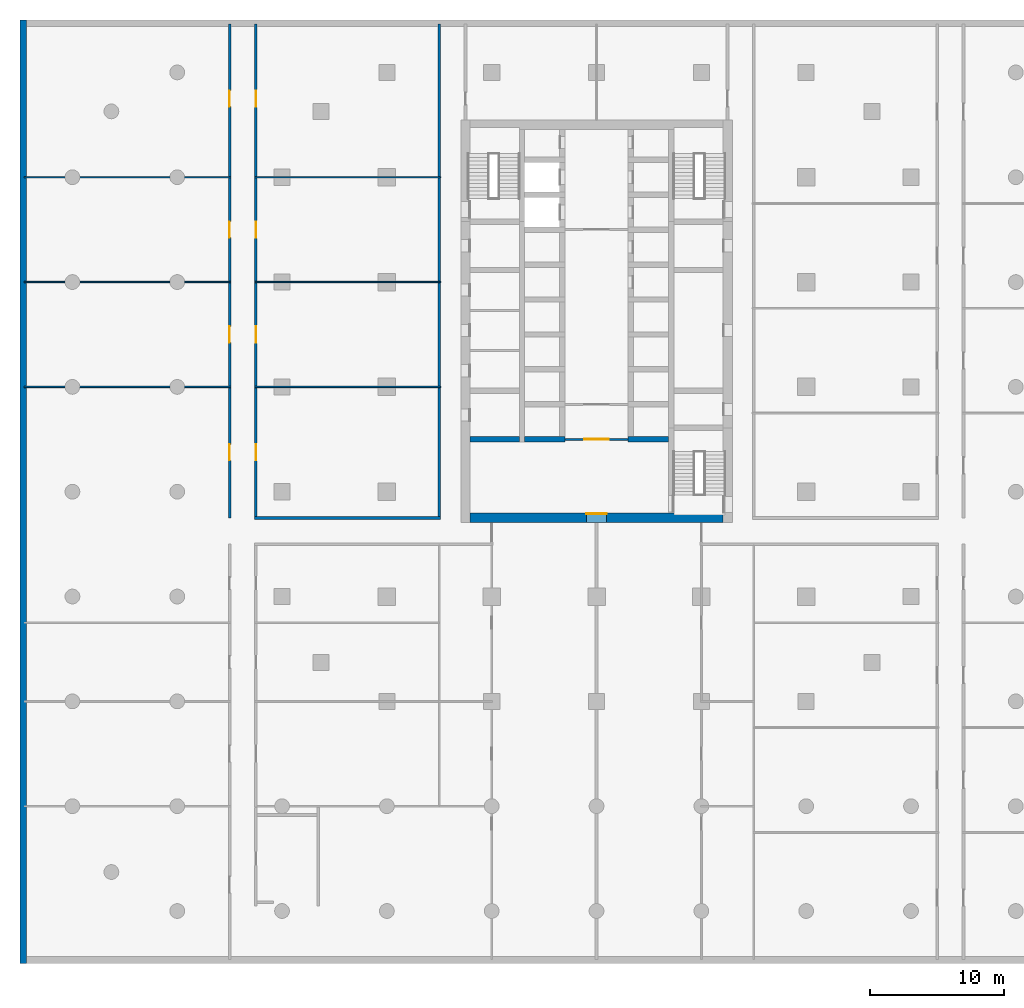
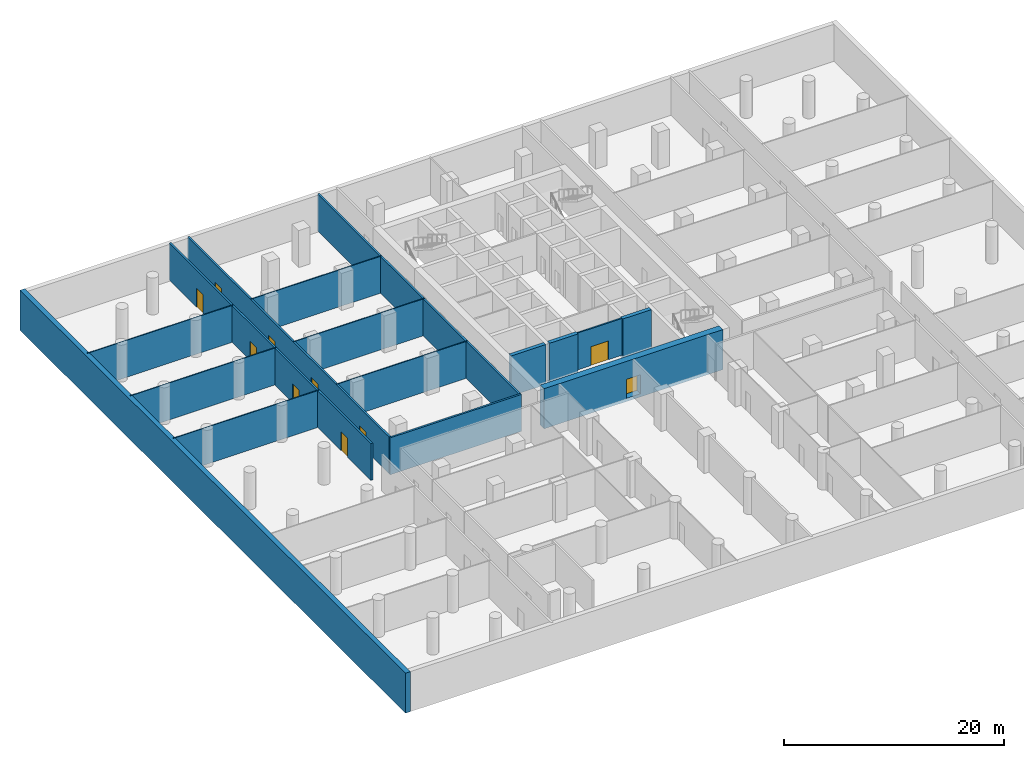
# One storey, part 5 of 14: 16 walls, 10 doors, 10 openings.
"""IFC4 building model written with IfcOpenShell, lengths in metres."""

from ifc_helpers import new_model, si_unit, direction, frame, frame_2d, origin, place, context, subcontext, project, spatial, rectangle, extrude, material, layer, layer_set, type_object, element, fill, save


model = new_model("IFC4")

# Units and contexts
model_context = context("Model", 3, precision=1e-05, world=origin(), true_north=direction((0.0, 1.0)))
body_context = subcontext(model_context, "Body", "Model", "MODEL_VIEW")
ifc_project = project(units=[si_unit("LENGTHUNIT", "METRE"), si_unit("AREAUNIT", "SQUARE_METRE"), si_unit("VOLUMEUNIT", "CUBIC_METRE"), si_unit("PLANEANGLEUNIT", "RADIAN"), si_unit("MASSUNIT", "GRAM", prefix="KILO")], contexts=[model_context])

# Site, building, storey
site_placement = place(None, origin())
site = spatial("IfcSite", under=ifc_project, at=site_placement, CompositionType="ELEMENT")
building_placement = place(site_placement, origin())
building = spatial("IfcBuilding", under=site, at=building_placement, Name="Ludao Terraces", CompositionType="ELEMENT")
storey_placement = place(building_placement, frame((0.0, 0.0, -4.5)))
storey = spatial("IfcBuildingStorey", under=building, at=storey_placement, Name="B1", CompositionType="ELEMENT", Elevation=-4.5)

# Wall
ifc_material_1 = material(Name="Concrete C40", Category="concrete")
ifc_layer_1 = layer(ifc_material_1, 0.5)
ifc_layer_set_1 = layer_set([ifc_layer_1], Name="Basement wall 500 C40")
wall_type_1 = type_object("IfcWallType", Name="Basement wall 500 C40", PredefinedType="SOLIDWALL", material=ifc_layer_set_1)
wall_1_placement = place(storey_placement, frame((42.35009765625, 22.10009765625, -0.35009765625), z_axis=(0.0, 0.0, 1.0), x_axis=(0.0, 1.0, 0.0)))
element("IfcWall", 1, at=wall_1_placement, inside=storey, type_object=wall_type_1, Name="Basement wall W B1", PredefinedType="SOLIDWALL", context=body_context, shape_type="SweptSolid", body=[
    extrude(rectangle(XDim=70.199951171875, YDim=0.5, at=frame_2d((35.10009765625, 0.0))), origin(), (0.0, 0.0, 1.0), 4.4501953125),
])

# Wall, opening, door
ifc_material_2 = material(Name="Concrete C70", Category="concrete")
ifc_layer_2 = layer(ifc_material_2, 0.699951171875)
ifc_layer_set_2 = layer_set([ifc_layer_2], Name="Core wall 700 C70")
wall_type_2 = type_object("IfcWallType", Name="Core wall 700 C70", PredefinedType="SOLIDWALL", material=ifc_layer_set_2)
wall_2_placement = place(storey_placement, frame((75.60009765625, 55.25, -0.35009765625), z_axis=(0.0, 0.0, 1.0), x_axis=(1.0, 0.0, 0.0)))
wall_2 = element("IfcWall", 2, at=wall_2_placement, inside=storey, type_object=wall_type_2, Name="Core wall B1 outer-S", PredefinedType="SOLIDWALL", context=body_context, shape_type="SweptSolid", body=[
    extrude(rectangle(XDim=18.7998046875, YDim=0.699951171875, at=frame_2d((9.39990234375, 0.0))), origin(), (0.0, 0.0, 1.0), 4.4501953125),
])
opening_1_placement = place(wall_2_placement, frame((8.64990234375, 0.0, 0.35009765625)))
opening_1 = element("IfcOpeningElement", 3, at=opening_1_placement, cuts=wall_2, Name="Opening B1-025", PredefinedType="OPENING", context=body_context, shape_type="SweptSolid", body=[
    extrude(rectangle(XDim=1.5, YDim=2.10009765625, at=frame_2d((0.75, 1.050048828125))), frame((0.0, 0.35986328125, 0.0), z_axis=(0.0, -1.0, 0.0), x_axis=(1.0, 0.0, 0.0)), (0.0, 0.0, 1.0), 0.719970703125),
])
ifc_material_3 = material(Name="Steel Q235", Category="steel")
door_type_1 = type_object("IfcDoorType", Name="INT Lobby door 1500", OperationType="DOUBLE_DOOR_SINGLE_SWING", PredefinedType="DOOR", material=ifc_material_3)
door_1_placement = place(opening_1_placement, origin())
door_1 = element("IfcDoor", 4, at=door_1_placement, inside=storey, type_object=door_type_1, Name="DOOR 025", OperationType="DOUBLE_DOOR_SINGLE_SWING", OverallHeight=2.10009765625, OverallWidth=1.5, PredefinedType="DOOR", context=body_context, shape_type="SweptSolid", body=[
    extrude(rectangle(XDim=1.5, YDim=2.10009765625, at=frame_2d((0.75, 1.050048828125))), frame((0.0, 0.3349609375, 0.0), z_axis=(0.0, -1.0, 0.0), x_axis=(1.0, 0.0, 0.0)), (0.0, 0.0, 1.0), 0.050048828125),
])
fill(opening_1, door_1)

ifc_material_4 = material(Name="Fire-rated gypsum plasterboard", Category="gypsum")
ifc_layer_3 = layer(ifc_material_4, 0.012451171875, Category="gypsum")
ifc_material_5 = material(Name="Mineral wool")
ifc_layer_4 = layer(ifc_material_5, 0.10009765625, Name="insulation")
ifc_layer_5 = layer(ifc_material_3, 0.02490234375, Name="stud")
ifc_layer_6 = layer(ifc_material_4, 0.012451171875, Category="gypsum")
ifc_layer_set_3 = layer_set([ifc_layer_3, ifc_layer_4, ifc_layer_5, ifc_layer_6], Name="INT Core partition 150")
wall_type_3 = type_object("IfcWallType", Name="INT Core partition 150", PredefinedType="PARTITIONING", material=ifc_layer_set_3)
wall_3_placement = place(storey_placement, frame((82.650146484375, 61.10009765625, 0.0), z_axis=(0.0, 0.0, 1.0), x_axis=(1.0, 0.0, 0.0)))
wall_3 = element("IfcWall", 5, at=wall_3_placement, inside=storey, type_object=wall_type_3, Name="PW-B1-PW019", PredefinedType="PARTITIONING", context=body_context, shape_type="SweptSolid", body=[
    extrude(rectangle(XDim=4.699951171875, YDim=0.14990234375, at=frame_2d((2.35009765625, 0.0))), origin(), (0.0, 0.0, 1.0), 4.10009765625),
])
opening_2_placement = place(wall_3_placement, frame((1.449951171875, 0.0, 0.0)))
opening_2 = element("IfcOpeningElement", 6, at=opening_2_placement, cuts=wall_3, Name="Opening B1-032", PredefinedType="OPENING", context=body_context, shape_type="SweptSolid", body=[
    extrude(rectangle(XDim=1.800048828125, YDim=2.10009765625, at=frame_2d((0.89990234375, 1.050048828125))), frame((0.0, 0.0849609375, 0.0), z_axis=(0.0, -1.0, 0.0), x_axis=(1.0, 0.0, 0.0)), (0.0, 0.0, 1.0), 0.169921875),
])
door_type_2 = type_object("IfcDoorType", Name="INT Fire lobby door 1800", OperationType="DOUBLE_DOOR_SINGLE_SWING", PredefinedType="DOOR", material=ifc_material_3)
door_2_placement = place(opening_2_placement, origin())
door_2 = element("IfcDoor", 7, at=door_2_placement, inside=storey, type_object=door_type_2, Name="DOOR 032", OperationType="DOUBLE_DOOR_SINGLE_SWING", OverallHeight=2.10009765625, OverallWidth=1.800048828125, PredefinedType="DOOR", context=body_context, shape_type="SweptSolid", body=[
    extrude(rectangle(XDim=1.800048828125, YDim=2.10009765625, at=frame_2d((0.89990234375, 1.050048828125))), frame((0.0, 0.02490234375, 0.0), z_axis=(0.0, -1.0, 0.0), x_axis=(1.0, 0.0, 0.0)), (0.0, 0.0, 1.0), 0.050048828125),
])
fill(opening_2, door_2)

# Wall
ifc_material_6 = material(Name="Autoclaved aerated concrete block B06 A3.5", Category="concrete")
ifc_layer_7 = layer(ifc_material_6, 0.199951171875)
ifc_layer_set_4 = layer_set([ifc_layer_7], Name="INT Entrance wall 200")
wall_type_4 = type_object("IfcWallType", Name="INT Entrance wall 200", PredefinedType="PARTITIONING", material=ifc_layer_set_4)
wall_4_placement = place(storey_placement, frame((59.550048828125, 55.25, 0.0), z_axis=(0.0, 0.0, 1.0), x_axis=(1.0, 0.0, 0.0)))
element("IfcWall", 8, at=wall_4_placement, inside=storey, type_object=wall_type_4, Name="PW-B1-PW017", PredefinedType="PARTITIONING", context=body_context, shape_type="SweptSolid", body=[
    extrude(rectangle(XDim=13.85009765625, YDim=0.199951171875, at=frame_2d((6.925048828125, 0.0))), origin(), (0.0, 0.0, 1.0), 4.10009765625),
])

# Wall, openings, doors
wall_5_placement = place(storey_placement, frame((57.699951171875, 55.25, 0.0), z_axis=(0.0, 0.0, 1.0), x_axis=(0.0, 1.0, 0.0)))
wall_5 = element("IfcWall", 9, at=wall_5_placement, inside=storey, type_object=wall_type_4, Name="PW-B1-PW037", PredefinedType="PARTITIONING", context=body_context, shape_type="SweptSolid", body=[
    extrude(rectangle(XDim=36.75, YDim=0.199951171875, at=frame_2d((18.375, 0.0))), origin(), (0.0, 0.0, 1.0), 4.10009765625),
])
opening_3_placement = place(wall_5_placement, frame((4.275146484375, 0.0, 0.0)))
opening_3 = element("IfcOpeningElement", 10, at=opening_3_placement, cuts=wall_5, Name="Opening B1-030", PredefinedType="OPENING", context=body_context, shape_type="SweptSolid", body=[
    extrude(rectangle(XDim=1.199951171875, YDim=2.10009765625, at=frame_2d((0.60009765625, 1.050048828125))), frame((0.0, 0.10986328125, 0.0), z_axis=(0.0, -1.0, 0.0), x_axis=(1.0, 0.0, 0.0)), (0.0, 0.0, 1.0), 0.219970703125),
])
opening_4_placement = place(wall_5_placement, frame((13.050048828125, 0.0, 0.0)))
opening_4 = element("IfcOpeningElement", 11, at=opening_4_placement, cuts=wall_5, Name="Opening B1-039", PredefinedType="OPENING", context=body_context, shape_type="SweptSolid", body=[
    extrude(rectangle(XDim=1.199951171875, YDim=2.10009765625, at=frame_2d((0.60009765625, 1.050048828125))), frame((0.0, 0.10986328125, 0.0), z_axis=(0.0, -1.0, 0.0), x_axis=(1.0, 0.0, 0.0)), (0.0, 0.0, 1.0), 0.219970703125),
])
opening_5_placement = place(wall_5_placement, frame((20.85009765625, 0.0, 0.0)))
opening_5 = element("IfcOpeningElement", 12, at=opening_5_placement, cuts=wall_5, Name="Opening B1-050", PredefinedType="OPENING", context=body_context, shape_type="SweptSolid", body=[
    extrude(rectangle(XDim=1.199951171875, YDim=2.10009765625, at=frame_2d((0.60009765625, 1.050048828125))), frame((0.0, 0.10986328125, 0.0), z_axis=(0.0, -1.0, 0.0), x_axis=(1.0, 0.0, 0.0)), (0.0, 0.0, 1.0), 0.219970703125),
])
opening_6_placement = place(wall_5_placement, frame((30.60009765625, 0.0, 0.0)))
opening_6 = element("IfcOpeningElement", 13, at=opening_6_placement, cuts=wall_5, Name="Opening B1-063", PredefinedType="OPENING", context=body_context, shape_type="SweptSolid", body=[
    extrude(rectangle(XDim=1.199951171875, YDim=2.10009765625, at=frame_2d((0.60009765625, 1.050048828125))), frame((0.0, 0.10986328125, 0.0), z_axis=(0.0, -1.0, 0.0), x_axis=(1.0, 0.0, 0.0)), (0.0, 0.0, 1.0), 0.219970703125),
])
ifc_material_7 = material(Name="Timber door leaf", Category="wood")
door_type_3 = type_object("IfcDoorType", Name="INT Double door 1200", OperationType="DOUBLE_DOOR_SINGLE_SWING", PredefinedType="DOOR", material=ifc_material_7)
door_3_placement = place(opening_3_placement, origin())
door_3 = element("IfcDoor", 14, at=door_3_placement, inside=storey, type_object=door_type_3, Name="DOOR 030", OperationType="DOUBLE_DOOR_SINGLE_SWING", OverallHeight=2.10009765625, OverallWidth=1.199951171875, PredefinedType="DOOR", context=body_context, shape_type="SweptSolid", body=[
    extrude(rectangle(XDim=1.199951171875, YDim=2.10009765625, at=frame_2d((0.60009765625, 1.050048828125))), frame((0.0, 0.02490234375, 0.0), z_axis=(0.0, -1.0, 0.0), x_axis=(1.0, 0.0, 0.0)), (0.0, 0.0, 1.0), 0.050048828125),
])
fill(opening_3, door_3)
door_4_placement = place(opening_4_placement, origin())
door_4 = element("IfcDoor", 15, at=door_4_placement, inside=storey, type_object=door_type_3, Name="DOOR 039", OperationType="DOUBLE_DOOR_SINGLE_SWING", OverallHeight=2.10009765625, OverallWidth=1.199951171875, PredefinedType="DOOR", context=body_context, shape_type="SweptSolid", body=[
    extrude(rectangle(XDim=1.199951171875, YDim=2.10009765625, at=frame_2d((0.60009765625, 1.050048828125))), frame((0.0, 0.02490234375, 0.0), z_axis=(0.0, -1.0, 0.0), x_axis=(1.0, 0.0, 0.0)), (0.0, 0.0, 1.0), 0.050048828125),
])
fill(opening_4, door_4)
door_5_placement = place(opening_5_placement, origin())
door_5 = element("IfcDoor", 16, at=door_5_placement, inside=storey, type_object=door_type_3, Name="DOOR 050", OperationType="DOUBLE_DOOR_SINGLE_SWING", OverallHeight=2.10009765625, OverallWidth=1.199951171875, PredefinedType="DOOR", context=body_context, shape_type="SweptSolid", body=[
    extrude(rectangle(XDim=1.199951171875, YDim=2.10009765625, at=frame_2d((0.60009765625, 1.050048828125))), frame((0.0, 0.02490234375, 0.0), z_axis=(0.0, -1.0, 0.0), x_axis=(1.0, 0.0, 0.0)), (0.0, 0.0, 1.0), 0.050048828125),
])
fill(opening_5, door_5)
door_6_placement = place(opening_6_placement, origin())
door_6 = element("IfcDoor", 17, at=door_6_placement, inside=storey, type_object=door_type_3, Name="DOOR 063", OperationType="DOUBLE_DOOR_SINGLE_SWING", OverallHeight=2.10009765625, OverallWidth=1.199951171875, PredefinedType="DOOR", context=body_context, shape_type="SweptSolid", body=[
    extrude(rectangle(XDim=1.199951171875, YDim=2.10009765625, at=frame_2d((0.60009765625, 1.050048828125))), frame((0.0, 0.02490234375, 0.0), z_axis=(0.0, -1.0, 0.0), x_axis=(1.0, 0.0, 0.0)), (0.0, 0.0, 1.0), 0.050048828125),
])
fill(opening_6, door_6)

wall_6_placement = place(storey_placement, frame((59.64990234375, 55.35009765625, 0.0), z_axis=(0.0, 0.0, 1.0), x_axis=(0.0, 1.0, 0.0)))
wall_6 = element("IfcWall", 18, at=wall_6_placement, inside=storey, type_object=wall_type_4, Name="PW-B1-PW039", PredefinedType="PARTITIONING", context=body_context, shape_type="SweptSolid", body=[
    extrude(rectangle(XDim=36.64990234375, YDim=0.199951171875, at=frame_2d((18.324951171875, 0.0))), origin(), (0.0, 0.0, 1.0), 4.10009765625),
])
opening_7_placement = place(wall_6_placement, frame((4.175048828125, 0.0, 0.0)))
opening_7 = element("IfcOpeningElement", 19, at=opening_7_placement, cuts=wall_6, Name="Opening B1-031", PredefinedType="OPENING", context=body_context, shape_type="SweptSolid", body=[
    extrude(rectangle(XDim=1.199951171875, YDim=2.10009765625, at=frame_2d((0.60009765625, 1.050048828125))), frame((0.0, 0.10986328125, 0.0), z_axis=(0.0, -1.0, 0.0), x_axis=(1.0, 0.0, 0.0)), (0.0, 0.0, 1.0), 0.219970703125),
])
opening_8_placement = place(wall_6_placement, frame((12.949951171875, 0.0, 0.0)))
opening_8 = element("IfcOpeningElement", 20, at=opening_8_placement, cuts=wall_6, Name="Opening B1-040", PredefinedType="OPENING", context=body_context, shape_type="SweptSolid", body=[
    extrude(rectangle(XDim=1.199951171875, YDim=2.10009765625, at=frame_2d((0.60009765625, 1.050048828125))), frame((0.0, 0.10986328125, 0.0), z_axis=(0.0, -1.0, 0.0), x_axis=(1.0, 0.0, 0.0)), (0.0, 0.0, 1.0), 0.219970703125),
])
opening_9_placement = place(wall_6_placement, frame((20.75, 0.0, 0.0)))
opening_9 = element("IfcOpeningElement", 21, at=opening_9_placement, cuts=wall_6, Name="Opening B1-051", PredefinedType="OPENING", context=body_context, shape_type="SweptSolid", body=[
    extrude(rectangle(XDim=1.199951171875, YDim=2.10009765625, at=frame_2d((0.60009765625, 1.050048828125))), frame((0.0, 0.10986328125, 0.0), z_axis=(0.0, -1.0, 0.0), x_axis=(1.0, 0.0, 0.0)), (0.0, 0.0, 1.0), 0.219970703125),
])
opening_10_placement = place(wall_6_placement, frame((30.5, 0.0, 0.0)))
opening_10 = element("IfcOpeningElement", 22, at=opening_10_placement, cuts=wall_6, Name="Opening B1-064", PredefinedType="OPENING", context=body_context, shape_type="SweptSolid", body=[
    extrude(rectangle(XDim=1.199951171875, YDim=2.10009765625, at=frame_2d((0.60009765625, 1.050048828125))), frame((0.0, 0.10986328125, 0.0), z_axis=(0.0, -1.0, 0.0), x_axis=(1.0, 0.0, 0.0)), (0.0, 0.0, 1.0), 0.219970703125),
])
door_7_placement = place(opening_7_placement, origin())
door_7 = element("IfcDoor", 23, at=door_7_placement, inside=storey, type_object=door_type_3, Name="DOOR 031", OperationType="DOUBLE_DOOR_SINGLE_SWING", OverallHeight=2.10009765625, OverallWidth=1.199951171875, PredefinedType="DOOR", context=body_context, shape_type="SweptSolid", body=[
    extrude(rectangle(XDim=1.199951171875, YDim=2.10009765625, at=frame_2d((0.60009765625, 1.050048828125))), frame((0.0, 0.02490234375, 0.0), z_axis=(0.0, -1.0, 0.0), x_axis=(1.0, 0.0, 0.0)), (0.0, 0.0, 1.0), 0.050048828125),
])
fill(opening_7, door_7)
door_8_placement = place(opening_8_placement, origin())
door_8 = element("IfcDoor", 24, at=door_8_placement, inside=storey, type_object=door_type_3, Name="DOOR 040", OperationType="DOUBLE_DOOR_SINGLE_SWING", OverallHeight=2.10009765625, OverallWidth=1.199951171875, PredefinedType="DOOR", context=body_context, shape_type="SweptSolid", body=[
    extrude(rectangle(XDim=1.199951171875, YDim=2.10009765625, at=frame_2d((0.60009765625, 1.050048828125))), frame((0.0, 0.02490234375, 0.0), z_axis=(0.0, -1.0, 0.0), x_axis=(1.0, 0.0, 0.0)), (0.0, 0.0, 1.0), 0.050048828125),
])
fill(opening_8, door_8)
door_9_placement = place(opening_9_placement, origin())
door_9 = element("IfcDoor", 25, at=door_9_placement, inside=storey, type_object=door_type_3, Name="DOOR 051", OperationType="DOUBLE_DOOR_SINGLE_SWING", OverallHeight=2.10009765625, OverallWidth=1.199951171875, PredefinedType="DOOR", context=body_context, shape_type="SweptSolid", body=[
    extrude(rectangle(XDim=1.199951171875, YDim=2.10009765625, at=frame_2d((0.60009765625, 1.050048828125))), frame((0.0, 0.02490234375, 0.0), z_axis=(0.0, -1.0, 0.0), x_axis=(1.0, 0.0, 0.0)), (0.0, 0.0, 1.0), 0.050048828125),
])
fill(opening_9, door_9)
door_10_placement = place(opening_10_placement, origin())
door_10 = element("IfcDoor", 26, at=door_10_placement, inside=storey, type_object=door_type_3, Name="DOOR 064", OperationType="DOUBLE_DOOR_SINGLE_SWING", OverallHeight=2.10009765625, OverallWidth=1.199951171875, PredefinedType="DOOR", context=body_context, shape_type="SweptSolid", body=[
    extrude(rectangle(XDim=1.199951171875, YDim=2.10009765625, at=frame_2d((0.60009765625, 1.050048828125))), frame((0.0, 0.02490234375, 0.0), z_axis=(0.0, -1.0, 0.0), x_axis=(1.0, 0.0, 0.0)), (0.0, 0.0, 1.0), 0.050048828125),
])
fill(opening_10, door_10)

# Walls
wall_7_placement = place(storey_placement, frame((73.300048828125, 55.35009765625, 0.0), z_axis=(0.0, 0.0, 1.0), x_axis=(0.0, 1.0, 0.0)))
element("IfcWall", 27, at=wall_7_placement, inside=storey, type_object=wall_type_4, Name="PW-B1-PW043", PredefinedType="PARTITIONING", context=body_context, shape_type="SweptSolid", body=[
    extrude(rectangle(XDim=36.64990234375, YDim=0.199951171875, at=frame_2d((18.324951171875, 0.0))), origin(), (0.0, 0.0, 1.0), 4.10009765625),
])
ifc_material_8 = material(Name="Gypsum plasterboard", Category="gypsum")
ifc_layer_8 = layer(ifc_material_8, 0.012451171875, Category="gypsum")
ifc_layer_9 = layer(ifc_material_5, 0.06005859375, Name="insulation")
ifc_layer_10 = layer(ifc_material_3, 0.014892578125, Name="stud")
ifc_layer_11 = layer(ifc_material_8, 0.012451171875, Category="gypsum")
ifc_layer_set_5 = layer_set([ifc_layer_8, ifc_layer_9, ifc_layer_10, ifc_layer_11], Name="INT Partition 100")
wall_type_5 = type_object("IfcWallType", Name="INT Partition 100", PredefinedType="PARTITIONING", material=ifc_layer_set_5)
wall_8_placement = place(storey_placement, frame((42.400146484375, 65.0, 0.0), z_axis=(0.0, 0.0, 1.0), x_axis=(1.0, 0.0, 0.0)))
element("IfcWall", 28, at=wall_8_placement, inside=storey, type_object=wall_type_5, Name="PW-B1-PW023", PredefinedType="PARTITIONING", context=body_context, shape_type="SweptSolid", body=[
    extrude(rectangle(XDim=15.39990234375, YDim=0.10009765625, at=frame_2d((7.699951171875, 0.0))), origin(), (0.0, 0.0, 1.0), 4.10009765625),
])
wall_9_placement = place(storey_placement, frame((59.550048828125, 65.0, 0.0), z_axis=(0.0, 0.0, 1.0), x_axis=(1.0, 0.0, 0.0)))
element("IfcWall", 29, at=wall_9_placement, inside=storey, type_object=wall_type_5, Name="PW-B1-PW024", PredefinedType="PARTITIONING", context=body_context, shape_type="SweptSolid", body=[
    extrude(rectangle(XDim=13.85009765625, YDim=0.10009765625, at=frame_2d((6.925048828125, 0.0))), origin(), (0.0, 0.0, 1.0), 4.10009765625),
])
wall_10_placement = place(storey_placement, frame((42.400146484375, 72.800048828125, 0.0), z_axis=(0.0, 0.0, 1.0), x_axis=(1.0, 0.0, 0.0)))
element("IfcWall", 30, at=wall_10_placement, inside=storey, type_object=wall_type_5, Name="PW-B1-PW029", PredefinedType="PARTITIONING", context=body_context, shape_type="SweptSolid", body=[
    extrude(rectangle(XDim=15.39990234375, YDim=0.10009765625, at=frame_2d((7.699951171875, 0.0))), origin(), (0.0, 0.0, 1.0), 4.10009765625),
])
wall_11_placement = place(storey_placement, frame((59.550048828125, 72.800048828125, 0.0), z_axis=(0.0, 0.0, 1.0), x_axis=(1.0, 0.0, 0.0)))
element("IfcWall", 31, at=wall_11_placement, inside=storey, type_object=wall_type_5, Name="PW-B1-PW030", PredefinedType="PARTITIONING", context=body_context, shape_type="SweptSolid", body=[
    extrude(rectangle(XDim=13.85009765625, YDim=0.10009765625, at=frame_2d((6.925048828125, 0.0))), origin(), (0.0, 0.0, 1.0), 4.10009765625),
])
wall_12_placement = place(storey_placement, frame((42.400146484375, 80.60009765625, 0.0), z_axis=(0.0, 0.0, 1.0), x_axis=(1.0, 0.0, 0.0)))
element("IfcWall", 32, at=wall_12_placement, inside=storey, type_object=wall_type_5, Name="PW-B1-PW034", PredefinedType="PARTITIONING", context=body_context, shape_type="SweptSolid", body=[
    extrude(rectangle(XDim=15.39990234375, YDim=0.10009765625, at=frame_2d((7.699951171875, 0.0))), origin(), (0.0, 0.0, 1.0), 4.10009765625),
])
wall_13_placement = place(storey_placement, frame((59.550048828125, 80.60009765625, 0.0), z_axis=(0.0, 0.0, 1.0), x_axis=(1.0, 0.0, 0.0)))
element("IfcWall", 33, at=wall_13_placement, inside=storey, type_object=wall_type_5, Name="PW-B1-PW035", PredefinedType="PARTITIONING", context=body_context, shape_type="SweptSolid", body=[
    extrude(rectangle(XDim=13.85009765625, YDim=0.10009765625, at=frame_2d((6.925048828125, 0.0))), origin(), (0.0, 0.0, 1.0), 4.10009765625),
])
ifc_material_9 = material(Name="Concrete C60", Category="concrete")
ifc_layer_12 = layer(ifc_material_9, 0.39990234375)
ifc_layer_set_6 = layer_set([ifc_layer_12], Name="Shaft wall 400 C60")
wall_type_6 = type_object("IfcWallType", Name="Shaft wall 400 C60", PredefinedType="SOLIDWALL", material=ifc_layer_set_6)
for number, where, z_axis, x_axis, name in (
    (34, (79.64990234375, 61.10009765625, -0.35009765625), (0.0, 0.0, 1.0), (1.0, 0.0, 0.0), "Core wall B1 div-W1"),
    (35, (87.35009765625, 61.10009765625, -0.35009765625), (0.0, 0.0, 1.0), (1.0, 0.0, 0.0), "Core wall B1 div-E1"),
):
    element("IfcWall", number, at=place(storey_placement, frame(where, z_axis=z_axis, x_axis=x_axis)), inside=storey, type_object=wall_type_6, Name=name, PredefinedType="SOLIDWALL", context=body_context, shape_type="SweptSolid", body=[
        extrude(rectangle(XDim=3.0, YDim=0.39990234375, at=frame_2d((1.5, 0.0))), origin(), (0.0, 0.0, 1.0), 4.4501953125),
    ])
wall_14_placement = place(storey_placement, frame((75.60009765625, 61.10009765625, -0.35009765625), z_axis=(0.0, 0.0, 1.0), x_axis=(1.0, 0.0, 0.0)))
element("IfcWall", 36, at=wall_14_placement, inside=storey, type_object=wall_type_6, Name="Core wall B1 hall-W", PredefinedType="SOLIDWALL", context=body_context, shape_type="SweptSolid", body=[
    extrude(rectangle(XDim=3.64990234375, YDim=0.39990234375, at=frame_2d((1.824951171875, 0.0))), origin(), (0.0, 0.0, 1.0), 4.4501953125),
])

save(model, "model.ifc")
